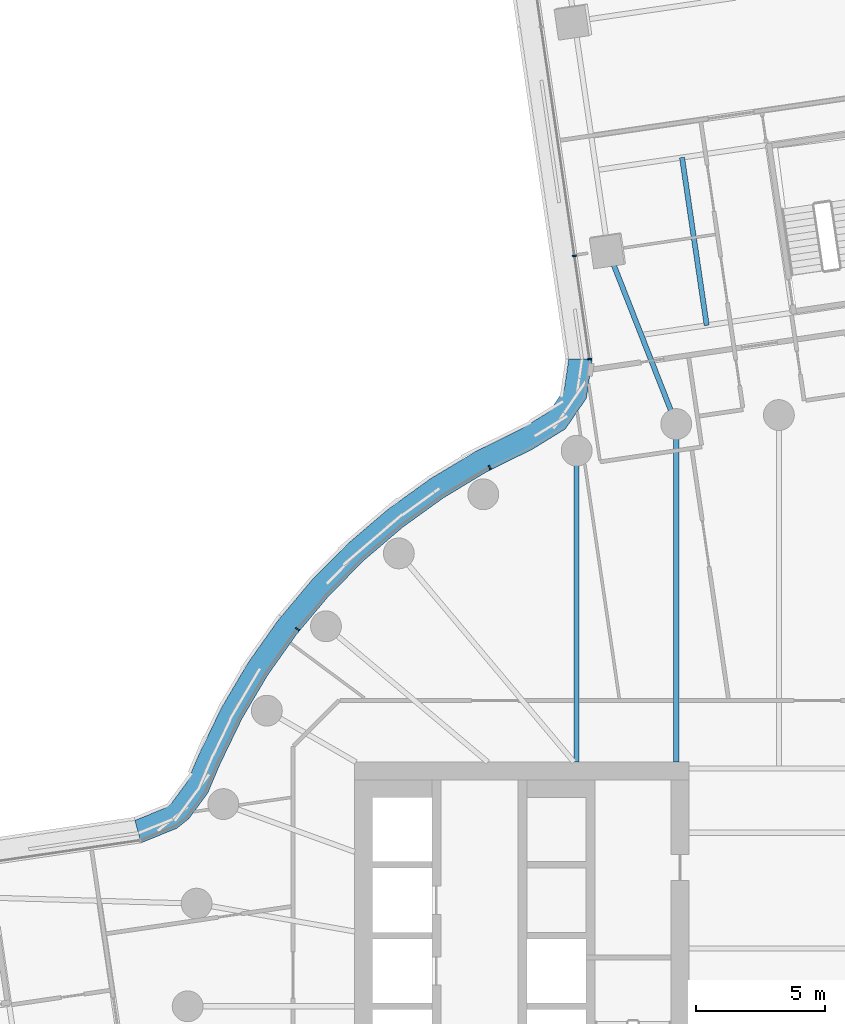
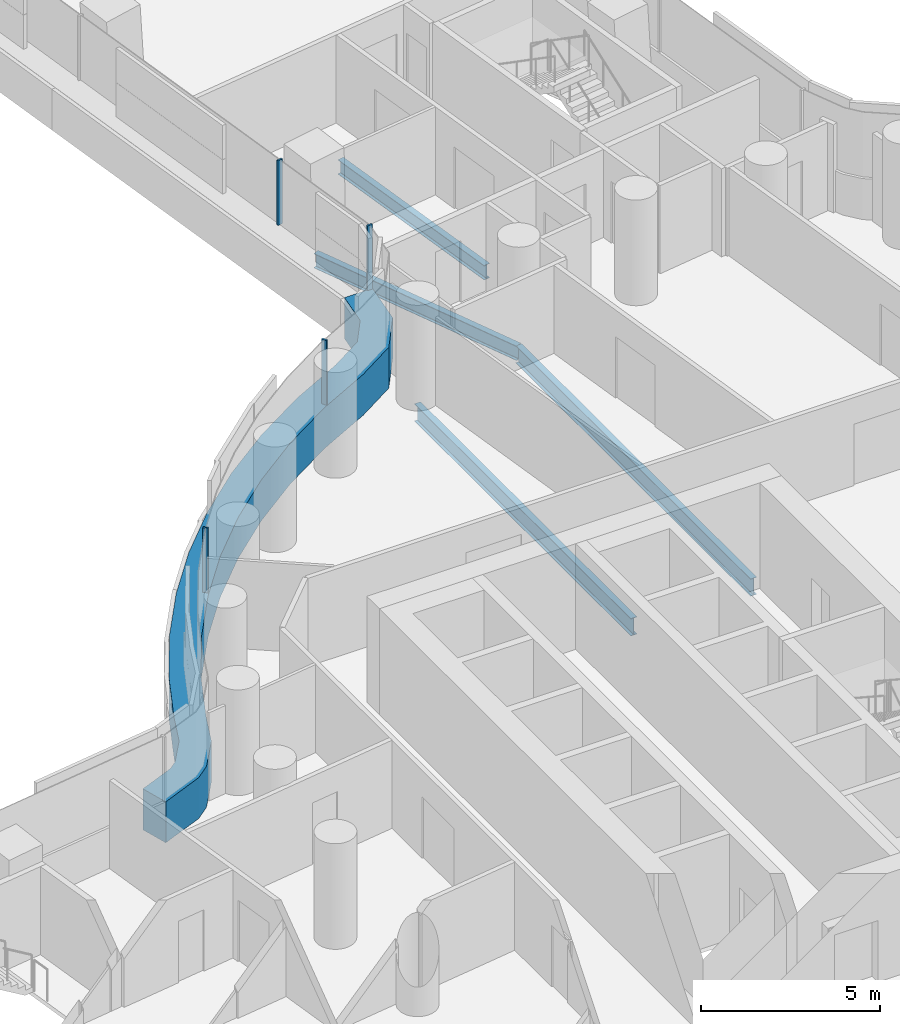
# One storey, part 13 of 31: 5 members, 4 beams, 2 elements without a shape of their own.
"""IFC4 building model written with IfcOpenShell, lengths in metres."""

from ifc_helpers import new_model, si_unit, direction, frame, origin, origin_2d, place, context, subcontext, project, spatial, polyline, rectangle, i_section, outline, extrude, material, layer, layer_set, material_profile, profile_set, type_object, element, aggregate, save


model = new_model("IFC4")

# Units and contexts
model_context = context("Model", 3, precision=1e-05, world=origin(), true_north=direction((0.0, 1.0)))
body_context = subcontext(model_context, "Body", "Model", "MODEL_VIEW")
ifc_project = project(units=[si_unit("LENGTHUNIT", "METRE"), si_unit("AREAUNIT", "SQUARE_METRE"), si_unit("VOLUMEUNIT", "CUBIC_METRE"), si_unit("PLANEANGLEUNIT", "RADIAN"), si_unit("MASSUNIT", "GRAM", prefix="KILO")], contexts=[model_context])

# Site, building, storey
site_placement = place(None, origin())
site = spatial("IfcSite", under=ifc_project, at=site_placement, CompositionType="ELEMENT")
building_placement = place(site_placement, origin())
building = spatial("IfcBuilding", under=site, at=building_placement, Name="Tamarind Cross Interchange Tower", CompositionType="ELEMENT")
storey_placement = place(building_placement, frame((0.0, 0.0, 64.0)))
storey = spatial("IfcBuildingStorey", under=building, at=storey_placement, Name="L14", CompositionType="ELEMENT", Elevation=64.0)

# Beams
ifc_material_1 = material(Name="Steel Q355B", Category="steel")
ifc_material_profile_1 = material_profile(ifc_material_1, i_section(OverallWidth=0.198974609375, OverallDepth=0.49609375, WebThickness=0.009033203125, FlangeThickness=0.013916015625, FilletRadius=0.012939453125, at=origin_2d()), Name="HN 496x199x9x14")
ifc_profile_set_1 = profile_set([ifc_material_profile_1], Name="Steel Q355B")
beam_type_1 = type_object("IfcBeamType", Name="Composite beam HN 496x199x9x14 Q355B", PredefinedType="BEAM", material=ifc_profile_set_1)
beam_1_placement = place(storey_placement, frame((-6.648193359375, 29.412353515625, -0.387939453125), z_axis=(0.365402794602, -0.930849503248, 0.0), x_axis=(0.930849503248, 0.365402794602, 0.0)))
element("IfcBeam", 1, at=beam_1_placement, inside=storey, type_object=beam_type_1, Name="Beam N-linkep", PredefinedType="BEAM", context=body_context, shape_type="SweptSolid", body=[
    extrude(i_section(OverallWidth=0.198974609375, OverallDepth=0.49609375, WebThickness=0.009033203125, FlangeThickness=0.013916015625, FilletRadius=0.012939453125, at=origin_2d()), origin(), (0.0, 0.0, 1.0), 7.263916015625),
])
beam_2_placement = place(storey_placement, frame((-2.807373046875, 26.489501953125, -0.387939453125), z_axis=(-0.14537152391, 0.989377137413, 0.0), x_axis=(-0.989377137413, -0.14537152391, 0.0)))
element("IfcBeam", 2, at=beam_2_placement, inside=storey, type_object=beam_type_1, Name="Beam N-stripp", PredefinedType="BEAM", context=body_context, shape_type="SweptSolid", body=[
    extrude(i_section(OverallWidth=0.198974609375, OverallDepth=0.49609375, WebThickness=0.009033203125, FlangeThickness=0.013916015625, FilletRadius=0.012939453125, at=origin_2d()), origin(), (0.0, 0.0, 1.0), 6.60009765625),
])
ifc_material_profile_2 = material_profile(ifc_material_1, i_section(OverallWidth=0.198974609375, OverallDepth=0.595947265625, WebThickness=0.010009765625, FlangeThickness=0.014892578125, FilletRadius=0.012939453125, at=origin_2d()), Name="HN 596x199x10x15")
ifc_profile_set_2 = profile_set([ifc_material_profile_2], Name="Steel Q355B")
beam_type_2 = type_object("IfcBeamType", Name="Composite beam HN 596x199x10x15 Q355B", PredefinedType="BEAM", material=ifc_profile_set_2)
beam_3_placement = place(storey_placement, frame((-3.993896484375, 22.650634765625, -0.43798828125), z_axis=(0.0, -1.0, 0.0), x_axis=(1.0, 0.0, 0.0)))
element("IfcBeam", 3, at=beam_3_placement, inside=storey, type_object=beam_type_2, Name="Beam HH10", PredefinedType="BEAM", context=body_context, shape_type="SweptSolid", body=[
    extrude(i_section(OverallWidth=0.198974609375, OverallDepth=0.595947265625, WebThickness=0.010009765625, FlangeThickness=0.014892578125, FilletRadius=0.012939453125, at=origin_2d()), origin(), (0.0, 0.0, 1.0), 13.150634765625),
])
beam_4_placement = place(storey_placement, frame((-7.866455078125, 21.613037109375, -0.43798828125), z_axis=(0.0, -1.0, 0.0), x_axis=(1.0, 0.0, 0.0)))
element("IfcBeam", 4, at=beam_4_placement, inside=storey, type_object=beam_type_2, Name="Beam HH11", PredefinedType="BEAM", context=body_context, shape_type="SweptSolid", body=[
    extrude(i_section(OverallWidth=0.198974609375, OverallDepth=0.595947265625, WebThickness=0.010009765625, FlangeThickness=0.014892578125, FilletRadius=0.012939453125, at=origin_2d()), origin(), (0.0, 0.0, 1.0), 12.113037109375),
])

# Curtain wall, member
ifc_material_2 = material(Name="Aluminium 6063-T6", Category="aluminium")
ifc_layer = layer(ifc_material_2, 0.159912109375)
ifc_layer_set = layer_set([ifc_layer], Name="Aluminium 6063-T6")
curtain_wall_type = type_object("IfcCurtainWallType", Name="Office curtain wall, 9.0 m bays", PredefinedType="NOTDEFINED", material=ifc_layer_set)
curtain_wall_1_placement = place(storey_placement, origin())
curtain_wall_1 = element("IfcCurtainWall", 5, at=curtain_wall_1_placement, inside=storey, type_object=curtain_wall_type, Name="CWS-L14-14", PredefinedType="NOTDEFINED")
ifc_material_3 = material(Name="Aluminium and insulated spandrel panel", Category="aluminium")
member_type_1 = type_object("IfcMemberType", Name="Floor-edge blade transom", PredefinedType="USERDEFINED", material=ifc_material_3)
member_1_placement = place(storey_placement, origin())
member_1 = element("IfcMember", 6, at=member_1_placement, type_object=member_type_1, Name="CWT-L14-14", ObjectType="TRANSOM", PredefinedType="USERDEFINED", context=body_context, shape_type="SweptSolid", body=[
    extrude(outline(polyline([(-7.263916015625, 25.17724609375), (-7.489013671875, 23.653076171875), (-8.307373046875, 22.45849609375), (-9.588134765625, 21.67041015625), (-11.367431640625, 20.791015625), (-13.045654296875, 19.78125), (-14.634521484375, 18.636474609375), (-16.12353515625, 17.3642578125), (-17.50244140625, 15.973388671875), (-18.76171875, 14.4736328125), (-19.892822265625, 12.874755859375), (-20.88818359375, 11.188232421875), (-21.742919921875, 9.42041015625), (-22.22119140625, 8.291015625), (-22.956787109375, 7.293212890625), (-23.421875, 6.923095703125), (-24.815185546875, 6.3583984375), (-25.052978515625, 7.23291015625), (-23.880615234375, 7.708251953125), (-23.610595703125, 7.923095703125), (-23.008544921875, 8.73974609375), (-22.562744140625, 9.792236328125), (-21.68212890625, 11.613525390625), (-20.64892578125, 13.3642578125), (-19.474853515625, 15.023681640625), (-18.167724609375, 16.580810546875), (-16.736572265625, 18.0244140625), (-15.19091796875, 19.344970703125), (-13.54150390625, 20.533203125), (-11.799560546875, 21.581298828125), (-10.0244140625, 22.458740234375), (-8.94189453125, 23.125), (-8.34912109375, 23.990234375), (-8.173583984375, 25.177978515625), (-7.263916015625, 25.17724609375)])), origin(), (0.0, 0.0, 1.0), 1.39990234375),
])

curtain_wall_2_placement = place(storey_placement, origin())
curtain_wall_2 = element("IfcCurtainWall", 7, at=curtain_wall_2_placement, inside=storey, type_object=curtain_wall_type, Name="CWS-L14-13", PredefinedType="NOTDEFINED")
ifc_material_profile_3 = material_profile(ifc_material_2, rectangle(XDim=0.06005859375, YDim=0.159912109375, at=origin_2d()), Name="Mullion CW1")
ifc_profile_set_3 = profile_set([ifc_material_profile_3], Name="Aluminium 6063-T6")
member_type_2 = type_object("IfcMemberType", Name="Mullion CW1", PredefinedType="MULLION", material=ifc_profile_set_3)
member_2_placement = place(storey_placement, frame((-7.949951171875, 29.19189453125, 1.39990234375), z_axis=(0.0, 0.0, 1.0), x_axis=(0.144186728298, -0.989550497642, 0.0)))
member_2 = element("IfcMember", 8, at=member_2_placement, type_object=member_type_2, Name="CWM-L14-13-02", PredefinedType="MULLION", context=body_context, shape_type="SweptSolid", body=[
    extrude(rectangle(XDim=0.06005859375, YDim=0.159912109375, at=origin_2d()), origin(), (0.0, 0.0, 1.0), 2.210205078125),
])
aggregate(curtain_wall_2, [member_2])

# Member
member_3_placement = place(storey_placement, frame((-7.364990234375, 25.17724609375, 1.39990234375), z_axis=(0.0, 0.0, 1.0), x_axis=(-0.000956772403, -0.999999542293, 0.0)))
member_3 = element("IfcMember", 9, at=member_3_placement, type_object=member_type_2, Name="CWM-L14-14-00", PredefinedType="MULLION", context=body_context, shape_type="SweptSolid", body=[
    extrude(rectangle(XDim=0.06005859375, YDim=0.159912109375, at=origin_2d()), origin(), (0.0, 0.0, 1.0), 2.210205078125),
])

member_4_placement = place(storey_placement, frame((-11.252197265625, 20.95947265625, 1.39990234375), z_axis=(0.0, 0.0, 1.0), x_axis=(-0.896492548518, -0.443058811505, 0.0)))
member_4 = element("IfcMember", 10, at=member_4_placement, type_object=member_type_2, Name="CWM-L14-14-01", PredefinedType="MULLION", context=body_context, shape_type="SweptSolid", body=[
    extrude(rectangle(XDim=0.06005859375, YDim=0.159912109375, at=origin_2d()), origin(), (0.0, 0.0, 1.0), 2.210205078125),
])

member_5_placement = place(storey_placement, frame((-18.727294921875, 14.670166015625, 1.39990234375), z_axis=(0.0, 0.0, 1.0), x_axis=(-0.643009266048, -0.765858396687, 0.0)))
member_5 = element("IfcMember", 11, at=member_5_placement, type_object=member_type_2, Name="CWM-L14-14-02", PredefinedType="MULLION", context=body_context, shape_type="SweptSolid", body=[
    extrude(rectangle(XDim=0.06005859375, YDim=0.159912109375, at=origin_2d()), origin(), (0.0, 0.0, 1.0), 2.210205078125),
])

aggregate(curtain_wall_1, [member_3, member_4, member_5, member_1])

save(model, "model.ifc")
